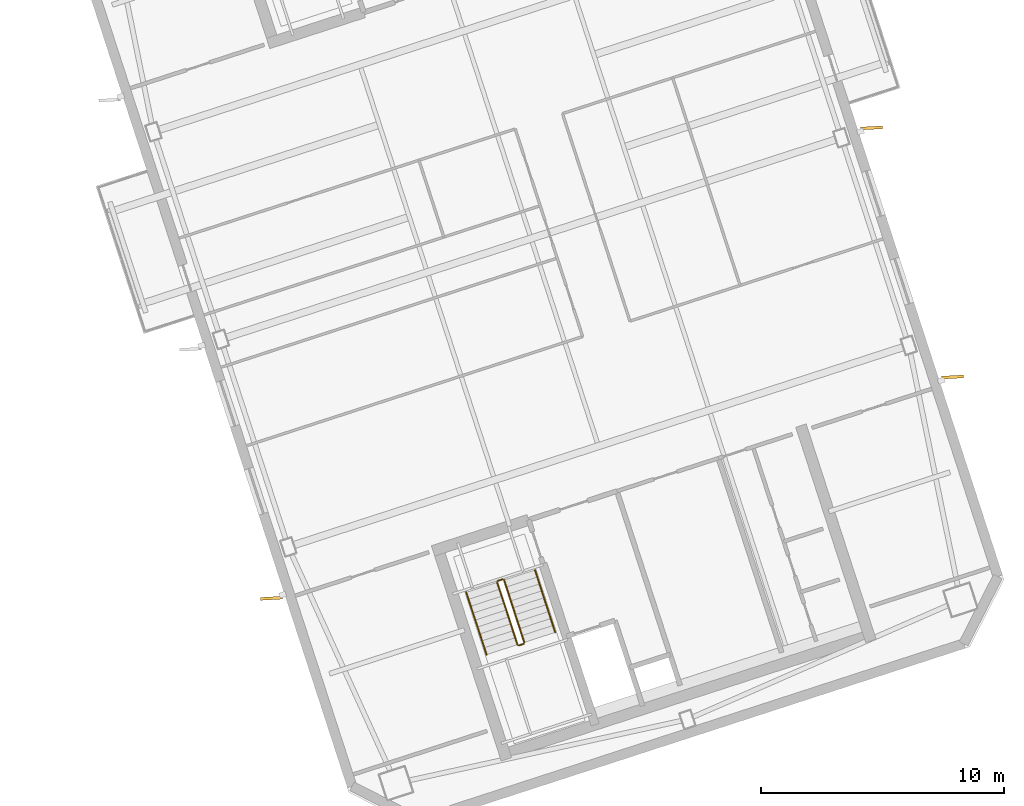
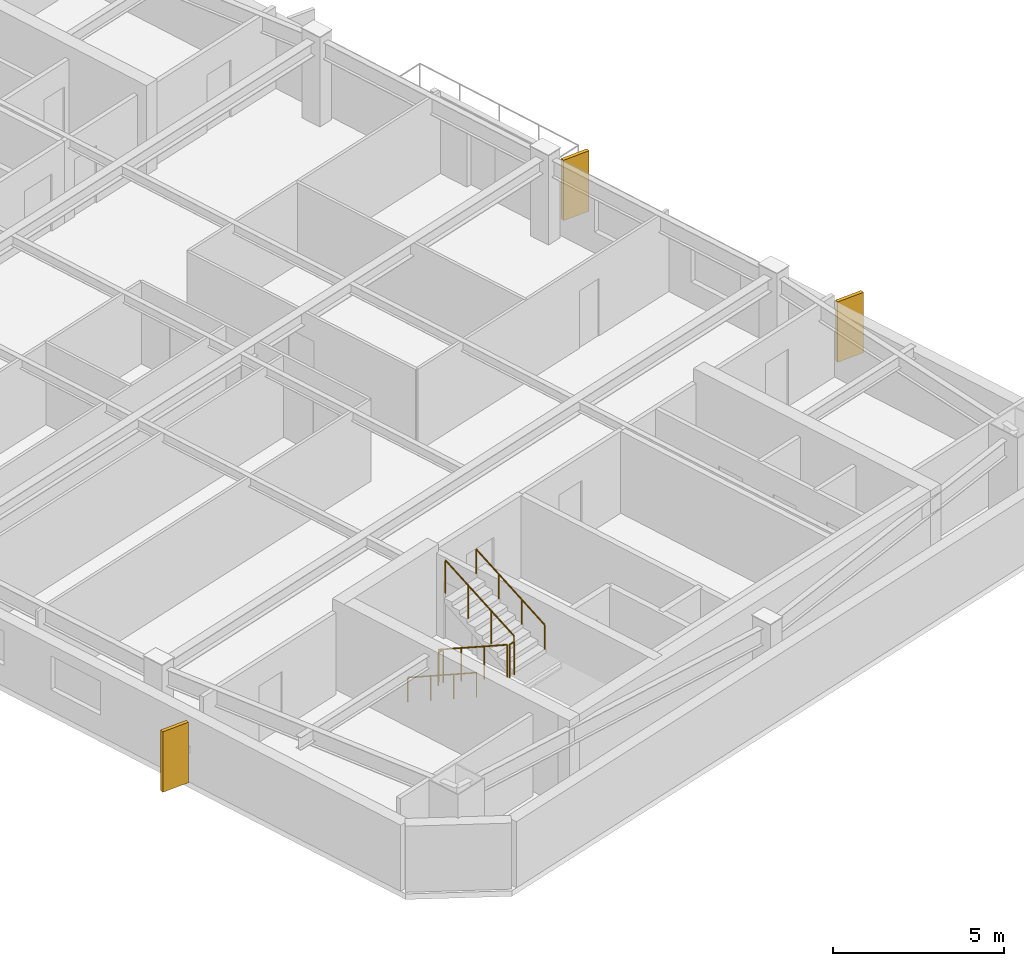
# One storey, part 16 of 17: 6 railings, 3 shading devices.
"""IFC4 building model written with IfcOpenShell, lengths in metres."""

import ifcopenshell
import ifcopenshell.guid

model = None  # the IFC model being written
_history = None  # IfcOwnerHistory: only IFC2X3 demands one
_inside = {}  # id of a spatial element -> (the spatial element, [elements in it])
_under = {}  # id of a project, library or spatial element -> (it, [spatial elements below it])
_declared = {}  # id of a project -> (the project, [libraries it declares])
_typed = {}  # id of a type object -> (the type object, [elements of that type])
_made_of = {}  # id of a material, layer set ... -> (it, [elements and type objects made of it])


def new_model(schema):
    """Start an empty IFC model of exactly this schema.

    Asked for "IFC4X3", IfcOpenShell would pick the latest addendum, in which some entities
    have other attributes; the version numbers below select the first issue.
    IFC2X3 requires an IfcOwnerHistory on every rooted entity: one is made here for all.
    """
    global model, _history
    if schema == "IFC4X3":
        model = ifcopenshell.file(schema_version=(4, 3, 0, 0))
    else:
        model = ifcopenshell.file(schema=schema)
    _inside.clear()
    _under.clear()
    _declared.clear()
    _typed.clear()
    _made_of.clear()
    _history = None
    if model.schema == "IFC2X3":
        org = make("IfcOrganization", Name="unknown")
        user = make(
            "IfcPersonAndOrganization",
            ThePerson=make("IfcPerson", FamilyName="unknown"),
            TheOrganization=org,
        )
        app = make(
            "IfcApplication",
            ApplicationDeveloper=org,
            Version="unknown",
            ApplicationFullName="unknown",
            ApplicationIdentifier="unknown",
        )
        _history = make(
            "IfcOwnerHistory",
            OwningUser=user,
            OwningApplication=app,
            ChangeAction="ADDED",
            CreationDate=0,
        )
    return model


def make(cls, **values):
    """One entity of the class cls with the attributes given. An attribute that is None is left unset."""
    return model.create_entity(
        cls, **{name: value for name, value in values.items() if value is not None}
    )


def rooted(cls, **values):
    """An entity with a GlobalId (a new one), such as an element, a storey or a relation."""
    return make(cls, GlobalId=ifcopenshell.guid.new(), OwnerHistory=_history, **values)


def si_unit(unit_type, name, prefix=None):
    """IfcSIUnit, for example si_unit("LENGTHUNIT", "METRE", prefix="MILLI")."""
    return make("IfcSIUnit", UnitType=unit_type, Prefix=prefix, Name=name)


def assignment(units):
    """IfcUnitAssignment: the units of a project."""
    return None if units is None else make("IfcUnitAssignment", Units=units)


def point(xyz):
    """IfcCartesianPoint."""
    return None if xyz is None else make("IfcCartesianPoint", Coordinates=xyz)


def direction(xyz):
    """IfcDirection."""
    return None if xyz is None else make("IfcDirection", DirectionRatios=xyz)


def frame(location, z_axis=None, x_axis=None):
    """IfcAxis2Placement3D, a coordinate frame: its origin and axes. An axis left out is left unset."""
    return make(
        "IfcAxis2Placement3D",
        Location=point(location),
        Axis=direction(z_axis),
        RefDirection=direction(x_axis),
    )


def frame_2d(location, x_axis=None):
    """IfcAxis2Placement2D, a coordinate frame in the plane: its origin and x axis."""
    return make(
        "IfcAxis2Placement2D", Location=point(location), RefDirection=direction(x_axis)
    )


def origin():
    """The frame at (0, 0, 0) with its axes left unset."""
    return frame((0.0, 0.0, 0.0))


def origin_2d():
    """The frame at (0, 0) in the plane with its x axis left unset."""
    return frame_2d((0.0, 0.0))


def place(relative_to, where):
    """IfcLocalPlacement: puts the frame where relative to a parent placement (None: the world)."""
    return make(
        "IfcLocalPlacement", PlacementRelTo=relative_to, RelativePlacement=where
    )


def context(
    kind, dimensions, precision=None, world=None, true_north=None, identifier=None
):
    """IfcGeometricRepresentationContext, for example the 3D "Model" context."""
    return make(
        "IfcGeometricRepresentationContext",
        ContextIdentifier=identifier,
        ContextType=kind,
        CoordinateSpaceDimension=dimensions,
        Precision=precision,
        WorldCoordinateSystem=world,
        TrueNorth=true_north,
    )


def subcontext(parent, identifier, kind, view, scale=None):
    """IfcGeometricRepresentationSubContext, for example "Body" below "Model"."""
    return make(
        "IfcGeometricRepresentationSubContext",
        ContextIdentifier=identifier,
        ContextType=kind,
        ParentContext=parent,
        TargetScale=scale,
        TargetView=view,
    )


def project(units=None, contexts=None):
    """IfcProject with its units and contexts."""
    return rooted(
        "IfcProject",
        Name="project",
        RepresentationContexts=contexts,
        UnitsInContext=assignment(units),
    )


def spatial(cls, under=None, at=None, **own):
    """A site, building, storey or space (cls), placed at a placement, below another one or the project."""
    s = rooted(cls, ObjectPlacement=at, **own)
    if under is not None:
        _under.setdefault(under.id(), (under, []))[1].append(s)
    return s


def profile(cls, at=None, kind="AREA", **sizes):
    """A parametric profile (cls). Its sizes go by their IFC names, for example OverallWidth=200.0."""
    return make(cls, ProfileType=kind, Position=at, **sizes)


def rectangle(**sizes):
    """IfcRectangleProfileDef."""
    return profile("IfcRectangleProfileDef", **sizes)


def circle(**sizes):
    """IfcCircleProfileDef."""
    return profile("IfcCircleProfileDef", **sizes)


def extrude(swept, where, along, depth):
    """IfcExtrudedAreaSolid: the profile swept, set in the frame where, extruded along a direction by depth."""
    return make(
        "IfcExtrudedAreaSolid",
        SweptArea=swept,
        Position=where,
        ExtrudedDirection=direction(along),
        Depth=depth,
    )


def shape(context_of_items, identifier, shape_type, items):
    """IfcShapeRepresentation: the items that make up one representation, for example the "Body"."""
    return make(
        "IfcShapeRepresentation",
        ContextOfItems=context_of_items,
        RepresentationIdentifier=identifier,
        RepresentationType=shape_type,
        Items=items,
    )


def material(Name=None, Category=None):
    """IfcMaterial."""
    return make("IfcMaterial", Name=Name, Category=Category)


def layer(
    of_material, thickness, ventilated=None, Name=None, Category=None, Priority=None
):
    """IfcMaterialLayer: one layer of a wall or slab, of a material (None: an air gap)."""
    return make(
        "IfcMaterialLayer",
        Material=of_material,
        LayerThickness=thickness,
        IsVentilated=ventilated,
        Name=Name,
        Category=Category,
        Priority=Priority,
    )


def layer_set(layers, Name=None):
    """IfcMaterialLayerSet."""
    return make("IfcMaterialLayerSet", MaterialLayers=layers, LayerSetName=Name)


def made_of(thing, what):
    """Note that an element or type object is made of a material, layer set ...; save() writes the relation."""
    if what is not None:
        _made_of.setdefault(what.id(), (what, []))[1].append(thing)
    return thing


def type_object(cls, material=None, **own):
    """A type object (cls), such as IfcWallType, which elements share."""
    return made_of(rooted(cls, **own), material)


def element(
    cls,
    number,
    at=None,
    inside=None,
    cuts=None,
    type_object=None,
    material=None,
    context=None,
    identifier="Body",
    shape_type=None,
    held_by="IfcProductDefinitionShape",
    body=None,
    shapes=None,
    **own,
):
    """One element of the class cls, such as IfcWall. Its Tag is "e" and its number.

    at: its placement. inside: the storey or other place that contains it. cuts: it is an
    opening in that element (IfcRelVoidsElement). A single representation is given by context,
    identifier, shape_type and body (its items); several are given by shapes. held_by: the class
    of the entity that holds the representations. save() writes the other relations.
    """
    e = rooted(cls, Tag="e%d" % number, ObjectPlacement=at, **own)
    if body is not None:
        shapes = [shape(context, identifier, shape_type, body)]
    if shapes is not None:
        e.Representation = make(held_by, Representations=shapes)
    if inside is not None:
        _inside.setdefault(inside.id(), (inside, []))[1].append(e)
    if cuts is not None:
        rooted(
            "IfcRelVoidsElement", RelatingBuildingElement=cuts, RelatedOpeningElement=e
        )
    if type_object is not None:
        _typed.setdefault(type_object.id(), (type_object, []))[1].append(e)
    return made_of(e, material)


def aggregate(whole, parts):
    """IfcRelAggregates: a whole, such as a stair, and the parts it consists of."""
    return rooted("IfcRelAggregates", RelatingObject=whole, RelatedObjects=parts)


def save(model, path):
    """Write the relations noted so far, then the file.

    IfcRelAggregates (storeys below a building ...), IfcRelContainedInSpatialStructure (elements
    in a storey), IfcRelDefinesByType, IfcRelAssociatesMaterial and IfcRelDeclares: one each for
    every whole, place, type object, material and project.
    """
    for whole, parts in _under.values():
        aggregate(whole, parts)
    for where, things in _inside.values():
        rooted(
            "IfcRelContainedInSpatialStructure",
            RelatedElements=things,
            RelatingStructure=where,
        )
    for kind, things in _typed.values():
        rooted("IfcRelDefinesByType", RelatedObjects=things, RelatingType=kind)
    for what, things in _made_of.values():
        rooted("IfcRelAssociatesMaterial", RelatedObjects=things, RelatingMaterial=what)
    for by, libraries in _declared.values():
        rooted("IfcRelDeclares", RelatingContext=by, RelatedDefinitions=libraries)
    model.write(path)


model = new_model("IFC4")

# Units and contexts
model_context = context("Model", 3, precision=1e-05, world=origin(), true_north=direction((0.0, 1.0)))
body_context = subcontext(model_context, "Body", "Model", "MODEL_VIEW")
ifc_project = project(units=[si_unit("LENGTHUNIT", "METRE"), si_unit("AREAUNIT", "SQUARE_METRE"), si_unit("VOLUMEUNIT", "CUBIC_METRE"), si_unit("PLANEANGLEUNIT", "RADIAN"), si_unit("MASSUNIT", "GRAM", prefix="KILO")], contexts=[model_context])

# Site, building, storey
site_placement = place(None, origin())
site = spatial("IfcSite", under=ifc_project, at=site_placement, CompositionType="ELEMENT")
building_placement = place(site_placement, origin())
building = spatial("IfcBuilding", under=site, at=building_placement, Name="Qiaolan Cultural Towers", CompositionType="ELEMENT")
storey_placement = place(building_placement, frame((0.0, 0.0, 247.199951171875)))
storey = spatial("IfcBuildingStorey", under=building, at=storey_placement, Name="L67", CompositionType="ELEMENT", Elevation=247.199951171875)

# Railings
ifc_material_1 = material(Name="Galvanized Painted Steel Stair Guardrail", Category="steel")
railing_type_1 = type_object("IfcRailingType", Name="RL-STAIR-GRD", PredefinedType="GUARDRAIL", material=ifc_material_1)
railing_1_placement = place(storey_placement, frame((88.60205078125, 19.82421875, 0.16015625)))
element("IfcRailing", 1, at=railing_1_placement, inside=storey, type_object=railing_type_1, Name="L67 ST-E1 stair guard 1", PredefinedType="GUARDRAIL", context=body_context, shape_type="SweptSolid", body=[
    extrude(circle(Radius=0.02392578125, at=origin_2d()), frame((0.0, 0.0, 1.17578125), z_axis=(0.272701475514, -0.839167384275, 0.470565623926), x_axis=(0.951043371037, 0.309057448393, 0.0)), (0.0, 0.0, 1.0), 3.06005859375),
    extrude(circle(Radius=0.02099609375, at=origin_2d()), origin(), (0.0, 0.0, 1.0), 1.15185546875),
    extrude(circle(Radius=0.02099609375, at=origin_2d()), frame((0.278076171875, -0.85595703125, 0.47998046875)), (0.0, 0.0, 1.0), 1.15185546875),
    extrude(circle(Radius=0.02099609375, at=origin_2d()), frame((0.556396484375, -1.7119140625, 0.9599609375)), (0.0, 0.0, 1.0), 1.15185546875),
    extrude(circle(Radius=0.02099609375, at=origin_2d()), frame((0.83447265625, -2.56787109375, 1.43994140625)), (0.0, 0.0, 1.0), 1.15185546875),
])
railing_2_placement = place(storey_placement, frame((89.49951171875, 17.224365234375, 1.60009765625)))
element("IfcRailing", 2, at=railing_2_placement, inside=storey, type_object=railing_type_1, Name="L67 ST-E1 stair guard 2", PredefinedType="GUARDRAIL", context=body_context, shape_type="SweptSolid", body=[
    extrude(circle(Radius=0.02392578125, at=origin_2d()), frame((0.0, 0.0, 1.17578125), z_axis=(0.951096855055, 0.308892816854, 0.0), x_axis=(-0.308892816854, 0.951096855055, 0.0)), (0.0, 0.0, 1.0), 0.199951171875),
    extrude(circle(Radius=0.02099609375, at=origin_2d()), origin(), (0.0, 0.0, 1.0), 1.15185546875),
    extrude(circle(Radius=0.02099609375, at=origin_2d()), frame((0.190185546875, 0.061767578125, 0.0)), (0.0, 0.0, 1.0), 1.15185546875),
])
railing_3_placement = place(storey_placement, frame((89.721923828125, 17.34912109375, 1.760009765625)))
element("IfcRailing", 3, at=railing_3_placement, inside=storey, type_object=railing_type_1, Name="L67 ST-E1 stair guard 3", PredefinedType="GUARDRAIL", context=body_context, shape_type="SweptSolid", body=[
    extrude(circle(Radius=0.02392578125, at=origin_2d()), frame((0.0, 0.0, 1.17578125), z_axis=(-0.272701475514, 0.839167384275, 0.470565623926), x_axis=(-0.951043371037, -0.309057448393, 0.0)), (0.0, 0.0, 1.0), 3.06005859375),
    extrude(circle(Radius=0.02099609375, at=origin_2d()), origin(), (0.0, 0.0, 1.0), 1.15185546875),
    extrude(circle(Radius=0.02099609375, at=origin_2d()), frame((-0.278076171875, 0.85595703125, 0.47998046875)), (0.0, 0.0, 1.0), 1.15185546875),
    extrude(circle(Radius=0.02099609375, at=origin_2d()), frame((-0.556396484375, 1.7119140625, 0.9599609375)), (0.0, 0.0, 1.0), 1.15185546875),
    extrude(circle(Radius=0.02099609375, at=origin_2d()), frame((-0.83447265625, 2.56787109375, 1.43994140625)), (0.0, 0.0, 1.0), 1.15185546875),
])
railing_4_placement = place(storey_placement, frame((88.63427734375, 19.88720703125, 0.0)))
element("IfcRailing", 4, at=railing_4_placement, inside=storey, type_object=railing_type_1, Name="L67 ST-E1 stair guard 4", PredefinedType="GUARDRAIL", context=body_context, shape_type="SweptSolid", body=[
    extrude(circle(Radius=0.02392578125, at=origin_2d()), frame((0.0, 0.0, 1.17578125), z_axis=(0.951096855055, 0.308892816854, 0.0), x_axis=(-0.308892816854, 0.951096855055, 0.0)), (0.0, 0.0, 1.0), 0.199951171875),
    extrude(circle(Radius=0.02099609375, at=origin_2d()), origin(), (0.0, 0.0, 1.0), 1.15185546875),
    extrude(circle(Radius=0.02099609375, at=origin_2d()), frame((0.190185546875, 0.061767578125, 0.0)), (0.0, 0.0, 1.0), 1.15185546875),
])
ifc_material_2 = material(Name="Stainless Steel S30408 Tubular Handrail", Category="steel")
railing_type_2 = type_object("IfcRailingType", Name="RL-STAIR-HR", PredefinedType="HANDRAIL", material=ifc_material_2)
railing_5_placement = place(storey_placement, frame((87.32763671875, 19.41015625, 0.16015625)))
element("IfcRailing", 5, at=railing_5_placement, inside=storey, type_object=railing_type_2, Name="L67 ST-E1 stair handrail 1", PredefinedType="HANDRAIL", context=body_context, shape_type="SweptSolid", body=[
    extrude(circle(Radius=0.02392578125, at=origin_2d()), frame((0.0, 0.0, 0.8759765625), z_axis=(0.272701475514, -0.839167384275, 0.470565623926), x_axis=(0.951043371037, 0.309057448393, 0.0)), (0.0, 0.0, 1.0), 3.06005859375),
    extrude(circle(Radius=0.02099609375, at=origin_2d()), origin(), (0.0, 0.0, 1.0), 0.851806640625),
    extrude(circle(Radius=0.02099609375, at=origin_2d()), frame((0.278076171875, -0.85595703125, 0.47998046875)), (0.0, 0.0, 1.0), 0.851806640625),
    extrude(circle(Radius=0.02099609375, at=origin_2d()), frame((0.556396484375, -1.7119140625, 0.9599609375)), (0.0, 0.0, 1.0), 0.851806640625),
    extrude(circle(Radius=0.02099609375, at=origin_2d()), frame((0.83447265625, -2.56787109375, 1.43994140625)), (0.0, 0.0, 1.0), 0.851806640625),
])
railing_6_placement = place(storey_placement, frame((90.996337890625, 17.76318359375, 1.760009765625)))
element("IfcRailing", 6, at=railing_6_placement, inside=storey, type_object=railing_type_2, Name="L67 ST-E1 stair handrail 2", PredefinedType="HANDRAIL", context=body_context, shape_type="SweptSolid", body=[
    extrude(circle(Radius=0.02392578125, at=origin_2d()), frame((0.0, 0.0, 0.8759765625), z_axis=(-0.272701475514, 0.839167384275, 0.470565623926), x_axis=(-0.951043371037, -0.309057448393, 0.0)), (0.0, 0.0, 1.0), 3.06005859375),
    extrude(circle(Radius=0.02099609375, at=origin_2d()), origin(), (0.0, 0.0, 1.0), 0.851806640625),
    extrude(circle(Radius=0.02099609375, at=origin_2d()), frame((-0.278076171875, 0.85595703125, 0.47998046875)), (0.0, 0.0, 1.0), 0.851806640625),
    extrude(circle(Radius=0.02099609375, at=origin_2d()), frame((-0.556396484375, 1.7119140625, 0.9599609375)), (0.0, 0.0, 1.0), 0.851806640625),
    extrude(circle(Radius=0.02099609375, at=origin_2d()), frame((-0.83447265625, 2.56787109375, 1.43994140625)), (0.0, 0.0, 1.0), 0.851806640625),
])

# Shading devices
ifc_material_3 = material(Name="Light Limestone Precast Vertical Fin", Category="masonry")
ifc_layer = layer(ifc_material_3, 0.1201171875)
ifc_layer_set = layer_set([ifc_layer], Name="Light Limestone Precast Vertical Fin")
shading_device_type = type_object("IfcShadingDeviceType", Name="SHD-FIN-WHITE", PredefinedType="USERDEFINED", material=ifc_layer_set)
for number, where, z_axis, x_axis, name in (
    (7, (79.2998046875, 19.16748046875, 0.10009765625), (0.0, 0.0, 1.0), (0.998413479427, 0.056307407143, 0.0), "L67 T2 Expressive Precast Vertical Fin W1"),
    (8, (107.375, 28.289794921875, 0.10009765625), (0.0, 0.0, 1.0), (0.998413479427, 0.056307407143, 0.0), "L67 T2 Expressive Precast Vertical Fin E1"),
    (9, (104.03759765625, 38.56103515625, 0.10009765625), (0.0, 0.0, 1.0), (0.998413479427, 0.056307407143, 0.0), "L67 T2 Expressive Precast Vertical Fin E2"),
):
    element("IfcShadingDevice", number, at=place(storey_placement, frame(where, z_axis=z_axis, x_axis=x_axis)), inside=storey, type_object=shading_device_type, Name=name, ObjectType="FIN", PredefinedType="USERDEFINED", context=body_context, shape_type="SweptSolid", body=[
        extrude(rectangle(XDim=0.89990234375, YDim=0.1201171875, at=origin_2d()), origin(), (0.0, 0.0, 1.0), 2.159912109375),
    ])

save(model, "model.ifc")
